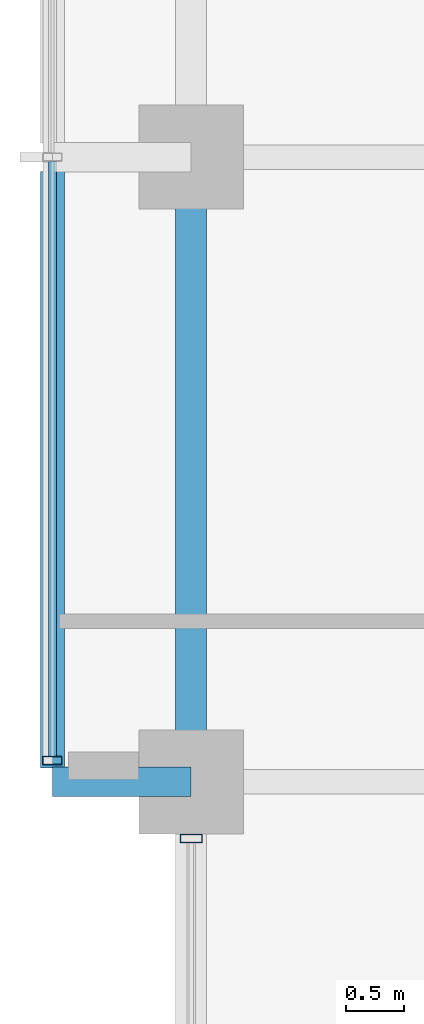
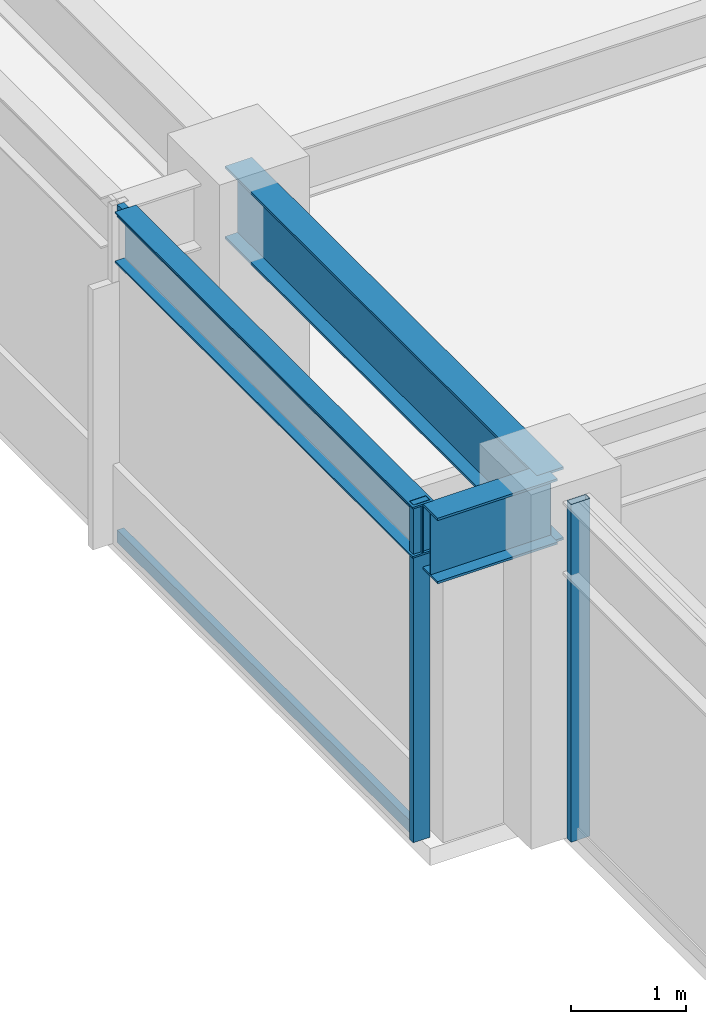
# One storey, part 10 of 32: 4 members, 3 beams, 2 elements without a shape of their own.
"""IFC4 building model written with IfcOpenShell, lengths in metres."""

from ifc_helpers import new_model, si_unit, direction, frame, origin, origin_2d, place, context, subcontext, project, spatial, hollow_rectangle, i_section, extrude, material, layer, layer_set, material_profile, profile_set, type_object, element, aggregate, save


model = new_model("IFC4")

# Units and contexts
model_context = context("Model", 3, precision=1e-05, world=origin(), true_north=direction((0.0, 1.0)))
body_context = subcontext(model_context, "Body", "Model", "MODEL_VIEW")
ifc_project = project(units=[si_unit("LENGTHUNIT", "METRE"), si_unit("AREAUNIT", "SQUARE_METRE"), si_unit("VOLUMEUNIT", "CUBIC_METRE"), si_unit("PLANEANGLEUNIT", "RADIAN"), si_unit("MASSUNIT", "GRAM", prefix="KILO")], contexts=[model_context])

# Site, building, storey
site_placement = place(None, origin())
site = spatial("IfcSite", under=ifc_project, at=site_placement, CompositionType="ELEMENT")
building_placement = place(site_placement, origin())
building = spatial("IfcBuilding", under=site, at=building_placement, Name="Surkhivell Harbour Commons", CompositionType="ELEMENT")
storey_placement = place(building_placement, frame((0.0, 0.0, 189.75)))
storey = spatial("IfcBuildingStorey", under=building, at=storey_placement, Name="L49", CompositionType="ELEMENT", Elevation=189.75)

# Beams
ifc_material_1 = material(Name="Steel S460", Category="steel")
ifc_material_profile_1 = material_profile(ifc_material_1, i_section(OverallWidth=0.256103515625, OverallDepth=0.693115234375, WebThickness=0.014404296875, FlangeThickness=0.023681640625, at=origin_2d()), Name="UB686x254x170")
ifc_profile_set_1 = profile_set([ifc_material_profile_1], Name="Steel S460")
beam_type_1 = type_object("IfcBeamType", Name="BM-CNT-686", PredefinedType="BEAM", material=ifc_profile_set_1)
beam_1_placement = place(storey_placement, frame((-27.0, 5.39990234375, 3.223388671875), z_axis=(-1.0, 0.0, 0.0), x_axis=(0.0, -1.0, 0.0)))
element("IfcBeam", 1, at=beam_1_placement, inside=storey, type_object=beam_type_1, Name="L49 Box Cantilever Outrigger (-27.0,5.4)", PredefinedType="BEAM", context=body_context, shape_type="SweptSolid", body=[
    extrude(i_section(OverallWidth=0.256103515625, OverallDepth=0.693115234375, WebThickness=0.014404296875, FlangeThickness=0.023681640625, at=origin_2d()), origin(), (0.0, 0.0, 1.0), 1.199951171875),
])
ifc_material_2 = material(Name="Steel S355", Category="steel")
ifc_material_profile_2 = material_profile(ifc_material_2, i_section(OverallWidth=0.2099609375, OverallDepth=0.537109375, WebThickness=0.0107421875, FlangeThickness=0.017333984375, at=origin_2d()), Name="UB533x210x101")
ifc_profile_set_2 = profile_set([ifc_material_profile_2], Name="Steel S355")
beam_type_2 = type_object("IfcBeamType", Name="BM-GRD-533B", PredefinedType="BEAM", material=ifc_profile_set_2)
beam_2_placement = place(storey_placement, frame((-28.199951171875, 5.52197265625, 3.301513671875), z_axis=(0.0, 1.0, 0.0), x_axis=(-1.0, 0.0, 0.0)))
element("IfcBeam", 2, at=beam_2_placement, inside=storey, type_object=beam_type_2, Name="L49 Box Rim Spandrel (-28.2,5.4)", PredefinedType="BEAM", context=body_context, shape_type="SweptSolid", body=[
    extrude(i_section(OverallWidth=0.2099609375, OverallDepth=0.537109375, WebThickness=0.0107421875, FlangeThickness=0.017333984375, at=origin_2d()), origin(), (0.0, 0.0, 1.0), 5.156005859375),
])
ifc_material_profile_3 = material_profile(ifc_material_2, i_section(OverallWidth=0.26806640625, OverallDepth=0.77001953125, WebThickness=0.015625, FlangeThickness=0.025390625, at=origin_2d()), Name="UB762x267x197")
ifc_profile_set_3 = profile_set([ifc_material_profile_3], Name="Steel S355")
beam_type_3 = type_object("IfcBeamType", Name="BM-SPN-762", PredefinedType="SPANDREL", material=ifc_profile_set_3)
beam_3_placement = place(storey_placement, frame((-27.0, 5.39990234375, 3.18505859375), z_axis=(0.0, 1.0, 0.0), x_axis=(-1.0, 0.0, 0.0)))
element("IfcBeam", 3, at=beam_3_placement, inside=storey, type_object=beam_type_3, Name="L49 Tube Spandrel (-27.0,5.4)", PredefinedType="SPANDREL", context=body_context, shape_type="SweptSolid", body=[
    extrude(i_section(OverallWidth=0.26806640625, OverallDepth=0.77001953125, WebThickness=0.015625, FlangeThickness=0.025390625, at=origin_2d()), origin(), (0.0, 0.0, 1.0), 5.400146484375),
])

# Curtain wall, member
ifc_material_3 = material(Name="Anodised pale-metal aluminium and insulated glazing", Category="aluminium")
ifc_layer_1 = layer(ifc_material_3, 0.1650390625)
ifc_layer_set_1 = layer_set([ifc_layer_1], Name="Anodised pale-metal aluminium and insulated glazing")
curtain_wall_type_1 = type_object("IfcCurtainWallType", Name="CW-SYS-BOX", PredefinedType="NOTDEFINED", material=ifc_layer_set_1)
curtain_wall_1_placement = place(storey_placement, origin())
curtain_wall_1 = element("IfcCurtainWall", 4, at=curtain_wall_1_placement, inside=storey, type_object=curtain_wall_type_1, Name="L49 Curtain Wall CW-L49-BOX02", PredefinedType="NOTDEFINED")
ifc_material_4 = material(Name="Champagne anodised aluminium alloy 6063-T6", Category="aluminium")
ifc_material_profile_4 = material_profile(ifc_material_4, hollow_rectangle(XDim=0.070068359375, YDim=0.1650390625, WallThickness=0.00341796875, at=origin_2d()), Name="ALU-MULL-70x165")
ifc_profile_set_4 = profile_set([ifc_material_profile_4], Name="Champagne anodised aluminium alloy 6063-T6")
member_type_1 = type_object("IfcMemberType", Name="CWM-165", PredefinedType="MULLION", material=ifc_profile_set_4)
member_1_placement = place(storey_placement, frame((-28.199951171875, 5.5849609375, 0.0), z_axis=(0.0, 0.0, 1.0), x_axis=(0.0, 1.0, 0.0)))
member_1 = element("IfcMember", 5, at=member_1_placement, type_object=member_type_1, Name="CW-BOX mullion 1", PredefinedType="MULLION", context=body_context, shape_type="SweptSolid", body=[
    extrude(hollow_rectangle(XDim=0.070068359375, YDim=0.1650390625, WallThickness=0.00341796875, at=origin_2d()), origin(), (0.0, 0.0, 1.0), 3.570068359375),
])

ifc_layer_2 = layer(ifc_material_3, 0.18994140625)
ifc_layer_set_2 = layer_set([ifc_layer_2], Name="Anodised pale-metal aluminium and insulated glazing")
curtain_wall_type_2 = type_object("IfcCurtainWallType", Name="CW-SYS-Z3", PredefinedType="NOTDEFINED", material=ifc_layer_set_2)
curtain_wall_2_placement = place(storey_placement, origin())
curtain_wall_2 = element("IfcCurtainWall", 6, at=curtain_wall_2_placement, inside=storey, type_object=curtain_wall_type_2, Name="L49 Curtain Wall CW-L49-E12R1S1", PredefinedType="NOTDEFINED")
ifc_material_5 = material(Name="Anodised pale-metal aluminium alloy 6063-T6", Category="aluminium")
ifc_material_profile_5 = material_profile(ifc_material_5, hollow_rectangle(XDim=0.074951171875, YDim=0.18994140625, WallThickness=0.00390625, at=origin_2d()), Name="ALU-MULL-75x190")
ifc_profile_set_5 = profile_set([ifc_material_profile_5], Name="Anodised pale-metal aluminium alloy 6063-T6")
member_type_2 = type_object("IfcMemberType", Name="CWM-190", PredefinedType="MULLION", material=ifc_profile_set_5)
member_2_placement = place(storey_placement, frame((-27.0, 4.910400390625, 0.0), z_axis=(0.0, 0.0, 1.0), x_axis=(0.0, 1.0, 0.0)))
member_2 = element("IfcMember", 7, at=member_2_placement, type_object=member_type_2, Name="CW-Z3 mullion 4", PredefinedType="MULLION", context=body_context, shape_type="SweptSolid", body=[
    extrude(hollow_rectangle(XDim=0.074951171875, YDim=0.18994140625, WallThickness=0.00390625, at=origin_2d()), origin(), (0.0, 0.0, 1.0), 3.570068359375),
])
aggregate(curtain_wall_2, [member_2])

# Member
ifc_material_profile_6 = material_profile(ifc_material_4, hollow_rectangle(XDim=0.070068359375, YDim=0.1298828125, WallThickness=0.00341796875, at=origin_2d()), Name="ALU-TRAN-70x130")
ifc_profile_set_6 = profile_set([ifc_material_profile_6], Name="Champagne anodised aluminium alloy 6063-T6")
member_type_3 = type_object("IfcMemberType", Name="CWT-130", PredefinedType="USERDEFINED", material=ifc_profile_set_6)
member_3_placement = place(storey_placement, frame((-28.199951171875, 5.6201171875, 0.06494140625), z_axis=(0.0, 1.0, 0.0), x_axis=(-1.0, 0.0, 0.0)))
member_3 = element("IfcMember", 8, at=member_3_placement, type_object=member_type_3, Name="CW-BOX transom 1.1", ObjectType="TRANSOM", PredefinedType="USERDEFINED", context=body_context, shape_type="SweptSolid", body=[
    extrude(hollow_rectangle(XDim=0.070068359375, YDim=0.1298828125, WallThickness=0.00341796875, at=origin_2d()), origin(), (0.0, 0.0, 1.0), 5.144775390625),
])

member_4_placement = place(storey_placement, frame((-28.199951171875, 5.6201171875, 3.5048828125), z_axis=(0.0, 1.0, 0.0), x_axis=(-1.0, 0.0, 0.0)))
member_4 = element("IfcMember", 9, at=member_4_placement, type_object=member_type_3, Name="CW-BOX transom 1.2", ObjectType="TRANSOM", PredefinedType="USERDEFINED", context=body_context, shape_type="SweptSolid", body=[
    extrude(hollow_rectangle(XDim=0.070068359375, YDim=0.1298828125, WallThickness=0.00341796875, at=origin_2d()), origin(), (0.0, 0.0, 1.0), 5.144775390625),
])

aggregate(curtain_wall_1, [member_1, member_3, member_4])

save(model, "model.ifc")
